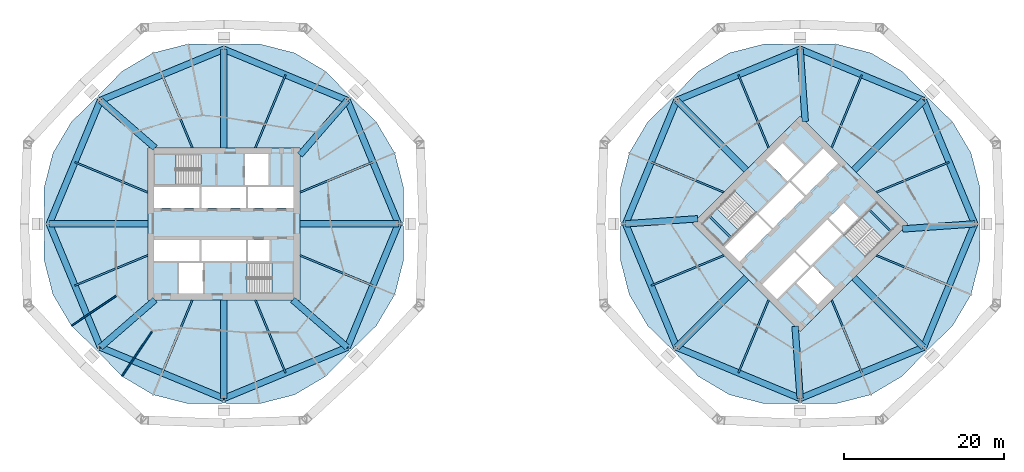
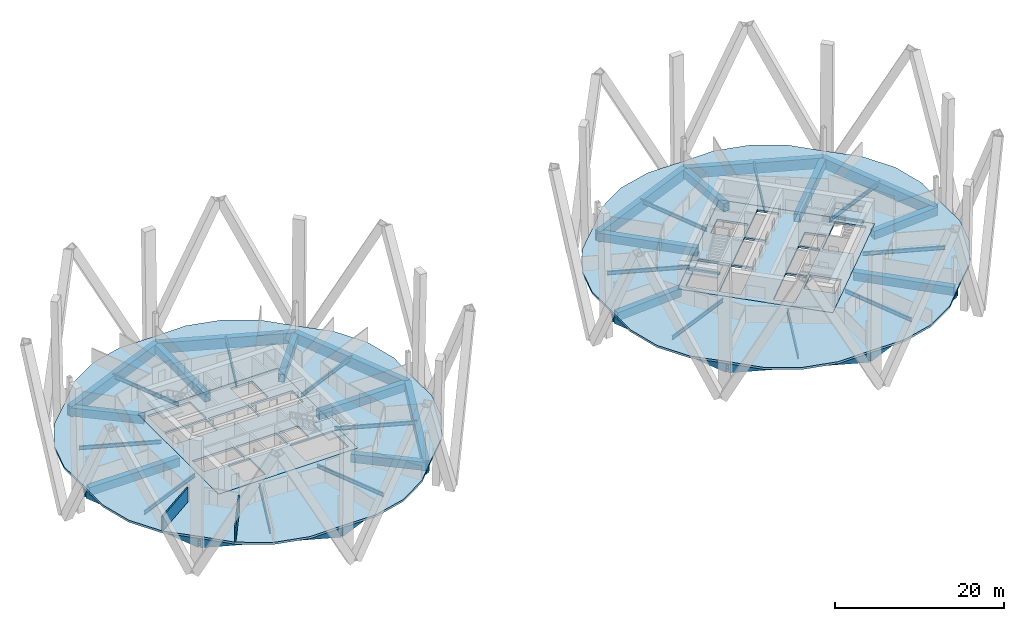
# One storey, part 3 of 10: 50 beams, 8 slabs, 2 walls, 4 elements without a shape of their own.
"""IFC4 building model written with IfcOpenShell, lengths in metres."""

from ifc_helpers import new_model, si_unit, direction, frame, frame_2d, origin, origin_2d, place, context, subcontext, project, spatial, polyline, rectangle, hollow_rectangle, i_section, outline, extrude, material, layer, layer_set, material_profile, profile_set, type_object, element, aggregate, save


model = new_model("IFC4")

# Units and contexts
model_context = context("Model", 3, precision=1e-05, world=origin(), true_north=direction((0.0, 1.0)))
body_context = subcontext(model_context, "Body", "Model", "MODEL_VIEW")
ifc_project = project(units=[si_unit("LENGTHUNIT", "METRE"), si_unit("AREAUNIT", "SQUARE_METRE"), si_unit("VOLUMEUNIT", "CUBIC_METRE"), si_unit("PLANEANGLEUNIT", "RADIAN"), si_unit("MASSUNIT", "GRAM", prefix="KILO")], contexts=[model_context])

# Site, building, storey
site_placement = place(None, origin())
site = spatial("IfcSite", under=ifc_project, at=site_placement, CompositionType="ELEMENT")
building_placement = place(site_placement, origin())
building = spatial("IfcBuilding", under=site, at=building_placement, Name="Ogive Gate Towers", CompositionType="ELEMENT")
storey_placement = place(building_placement, frame((0.0, 0.0, 36.300048828125)))
storey = spatial("IfcBuildingStorey", under=building, at=storey_placement, Name="L07", CompositionType="ELEMENT", Elevation=36.300048828125)

# Beams
ifc_material_1 = material(Name="Steel SM460", Category="steel")
ifc_material_profile_1 = material_profile(ifc_material_1, hollow_rectangle(XDim=0.800048828125, YDim=1.5, WallThickness=0.06005859375, at=origin_2d()), Name="BX 1500x800x60")
ifc_profile_set_1 = profile_set([ifc_material_profile_1], Name="Steel SM460")
beam_type_1 = type_object("IfcBeamType", Name="Edge girder BX 1500x800x60", PredefinedType="BEAM", material=ifc_profile_set_1)
for number, where, z_axis, x_axis, name in (
    (1, (-51.422119140625, -15.422119140625, -1.050048828125), (0.923881893128, -0.382677733282, 0.0), (0.382677733282, 0.923881893128, 0.0), "T1/L07/SBM017"),
    (2, (-36.0, -21.81005859375, -1.050048828125), (0.923881893128, 0.382677733282, 0.0), (-0.382677733282, 0.923881893128, 0.0), "T1/L07/SBM018"),
    (3, (-20.577880859375, -15.422119140625, -1.050048828125), (0.382677733282, 0.923881893128, 0.0), (-0.923881893128, 0.382677733282, 0.0), "T1/L07/SBM019"),
    (4, (-14.18994140625, 0.0, -1.050048828125), (-0.382677733282, 0.923881893128, 0.0), (-0.923881893128, -0.382677733282, 0.0), "T1/L07/SBM020"),
    (5, (-20.577880859375, 15.422119140625, -1.050048828125), (-0.923881893128, 0.382677733282, 0.0), (-0.382677733282, -0.923881893128, 0.0), "T1/L07/SBM021"),
    (6, (-36.0, 21.81005859375, -1.050048828125), (-0.923881893128, -0.382677733282, 0.0), (0.382677733282, -0.923881893128, 0.0), "T1/L07/SBM022"),
    (7, (-51.422119140625, 15.422119140625, -1.050048828125), (-0.382677733282, -0.923881893128, 0.0), (0.923881893128, -0.382677733282, 0.0), "T1/L07/SBM023"),
    (8, (-57.81005859375, 0.0, -1.050048828125), (0.382677733282, -0.923881893128, 0.0), (0.923881893128, 0.382677733282, 0.0), "T1/L07/SBM024"),
    (9, (20.577880859375, -15.422119140625, -1.050048828125), (0.923881893128, -0.382677733282, 0.0), (0.382677733282, 0.923881893128, 0.0), "T2/L07/SBM017"),
    (10, (36.0, -21.81005859375, -1.050048828125), (0.923881893128, 0.382677733282, 0.0), (-0.382677733282, 0.923881893128, 0.0), "T2/L07/SBM018"),
    (11, (51.422119140625, -15.422119140625, -1.050048828125), (0.382677733282, 0.923881893128, 0.0), (-0.923881893128, 0.382677733282, 0.0), "T2/L07/SBM019"),
    (12, (57.81005859375, 0.0, -1.050048828125), (-0.382677733282, 0.923881893128, 0.0), (-0.923881893128, -0.382677733282, 0.0), "T2/L07/SBM020"),
    (13, (51.422119140625, 15.422119140625, -1.050048828125), (-0.923881893128, 0.382677733282, 0.0), (-0.382677733282, -0.923881893128, 0.0), "T2/L07/SBM021"),
    (14, (36.0, 21.81005859375, -1.050048828125), (-0.923881893128, -0.382677733282, 0.0), (0.382677733282, -0.923881893128, 0.0), "T2/L07/SBM022"),
    (15, (20.577880859375, 15.422119140625, -1.050048828125), (-0.382677733282, -0.923881893128, 0.0), (0.923881893128, -0.382677733282, 0.0), "T2/L07/SBM023"),
    (16, (14.18994140625, 0.0, -1.050048828125), (0.382677733282, -0.923881893128, 0.0), (0.923881893128, 0.382677733282, 0.0), "T2/L07/SBM024"),
):
    element("IfcBeam", number, at=place(storey_placement, frame(where, z_axis=z_axis, x_axis=x_axis)), inside=storey, type_object=beam_type_1, Name=name, PredefinedType="BEAM", context=body_context, shape_type="SweptSolid", body=[
        extrude(hollow_rectangle(XDim=0.800048828125, YDim=1.5, WallThickness=0.06005859375, at=origin_2d()), origin(), (0.0, 0.0, 1.0), 16.692626953125),
    ])
ifc_material_2 = material(Name="Concrete C40/50", Category="concrete")
ifc_material_profile_2 = material_profile(ifc_material_2, rectangle(XDim=0.25, YDim=0.300048828125, at=origin_2d()), Name="RC 250x300")
ifc_profile_set_2 = profile_set([ifc_material_profile_2], Name="Concrete C40/50")
beam_type_2 = type_object("IfcBeamType", Name="Landing bearer RC 250x300", PredefinedType="BEAM", material=ifc_profile_set_2)
for number, where, z_axis, x_axis, name in (
    (17, (24.650390625, 0.9541015625, 1.599853515625), (0.707106781187, -0.707106781187, 0.0), (0.707106781187, 0.707106781187, 0.0), "T2 L07 stair 1 landing bearer 1"),
    (18, (47.349609375, -0.9541015625, 1.599853515625), (-0.707106781187, 0.707106781187, 0.0), (-0.707106781187, -0.707106781187, 0.0), "T2 L07 stair 2 landing bearer 1"),
):
    element("IfcBeam", number, at=place(storey_placement, frame(where, z_axis=z_axis, x_axis=x_axis)), inside=storey, type_object=beam_type_2, Name=name, PredefinedType="BEAM", context=body_context, shape_type="SweptSolid", body=[
        extrude(rectangle(XDim=0.25, YDim=0.300048828125, at=origin_2d()), origin(), (0.0, 0.0, 1.0), 3.824951171875),
    ])
ifc_material_3 = material(Name="Steel SM355", Category="steel")
ifc_material_profile_3 = material_profile(ifc_material_3, i_section(OverallWidth=0.2099609375, OverallDepth=0.550048828125, WebThickness=0.010986328125, FlangeThickness=0.01708984375, FilletRadius=0.02392578125, at=origin_2d()), Name="IPE 550")
ifc_profile_set_3 = profile_set([ifc_material_profile_3], Name="Steel SM355")
beam_type_3 = type_object("IfcBeamType", Name="Radial floor beam IPE 550", PredefinedType="BEAM", material=ifc_profile_set_3)
for number, where, z_axis, x_axis, name in (
    (19, (-39.93505859375, -9.5, -0.574951171875), (-0.38267666976, -0.923882333645, 0.0), (0.923882333645, -0.38267666976, 0.0), "T1/L07/SBM002"),
    (20, (-32.06494140625, -9.5, -0.574951171875), (0.38267666976, -0.923882333645, 0.0), (0.923882333645, 0.38267666976, 0.0), "T1/L07/SBM004"),
    (21, (-26.5, -3.93505859375, -0.574951171875), (0.923882333645, -0.38267666976, 0.0), (0.38267666976, 0.923882333645, 0.0), "T1/L07/SBM006"),
    (22, (-26.5, 3.93505859375, -0.574951171875), (0.923882333645, 0.38267666976, 0.0), (-0.38267666976, 0.923882333645, 0.0), "T1/L07/SBM008"),
    (23, (-32.06494140625, 9.5, -0.574951171875), (0.38267666976, 0.923882333645, 0.0), (-0.923882333645, 0.38267666976, 0.0), "T1/L07/SBM010"),
    (24, (-39.93505859375, 9.5, -0.574951171875), (-0.38267666976, 0.923882333645, 0.0), (-0.923882333645, -0.38267666976, 0.0), "T1/L07/SBM012"),
    (25, (-45.5, 3.93505859375, -0.574951171875), (-0.923882333645, 0.38267666976, 0.0), (-0.38267666976, -0.923882333645, 0.0), "T1/L07/SBM014"),
    (26, (-45.5, -3.93505859375, -0.574951171875), (-0.923882333645, -0.38267666976, 0.0), (0.38267666976, -0.923882333645, 0.0), "T1/L07/SBM016"),
    (27, (32.06494140625, -9.5, -0.574951171875), (-0.38267666976, -0.923882333645, 0.0), (0.923882333645, -0.38267666976, 0.0), "T2/L07/SBM002"),
    (28, (39.93505859375, -9.5, -0.574951171875), (0.38267666976, -0.923882333645, 0.0), (0.923882333645, 0.38267666976, 0.0), "T2/L07/SBM004"),
    (29, (45.5, -3.93505859375, -0.574951171875), (0.923882333645, -0.38267666976, 0.0), (0.38267666976, 0.923882333645, 0.0), "T2/L07/SBM006"),
    (30, (45.5, 3.93505859375, -0.574951171875), (0.923882333645, 0.38267666976, 0.0), (-0.38267666976, 0.923882333645, 0.0), "T2/L07/SBM008"),
    (31, (39.93505859375, 9.5, -0.574951171875), (0.38267666976, 0.923882333645, 0.0), (-0.923882333645, 0.38267666976, 0.0), "T2/L07/SBM010"),
    (32, (32.06494140625, 9.5, -0.574951171875), (-0.38267666976, 0.923882333645, 0.0), (-0.923882333645, -0.38267666976, 0.0), "T2/L07/SBM012"),
    (33, (26.5, 3.93505859375, -0.574951171875), (-0.923882333645, 0.38267666976, 0.0), (-0.38267666976, -0.923882333645, 0.0), "T2/L07/SBM014"),
    (34, (26.5, -3.93505859375, -0.574951171875), (-0.923882333645, -0.38267666976, 0.0), (0.38267666976, -0.923882333645, 0.0), "T2/L07/SBM016"),
):
    element("IfcBeam", number, at=place(storey_placement, frame(where, z_axis=z_axis, x_axis=x_axis)), inside=storey, type_object=beam_type_3, Name=name, PredefinedType="BEAM", context=body_context, shape_type="SweptSolid", body=[
        extrude(i_section(OverallWidth=0.2099609375, OverallDepth=0.550048828125, WebThickness=0.010986328125, FlangeThickness=0.01708984375, FilletRadius=0.02392578125, at=origin_2d()), origin(), (0.0, 0.0, 1.0), 9.866943359375),
    ])
ifc_material_profile_4 = material_profile(ifc_material_1, hollow_rectangle(XDim=0.800048828125, YDim=1.199951171875, WallThickness=0.050048828125, at=origin_2d()), Name="BX 1200x800x50")
ifc_profile_set_4 = profile_set([ifc_material_profile_4], Name="Steel SM460")
beam_type_4 = type_object("IfcBeamType", Name="Transfer radial beam BX 1200x800x50", PredefinedType="BEAM", material=ifc_profile_set_4)
beam_1_placement = place(storey_placement, frame((-44.60009765625, -9.5, -0.900146484375), z_axis=(-0.755157389596, -0.655543527875, 0.0), x_axis=(0.655543527875, -0.755157389596, 0.0)))
element("IfcBeam", 35, at=beam_1_placement, inside=storey, type_object=beam_type_4, Name="T1/L07/SBM001", PredefinedType="BEAM", context=body_context, shape_type="SweptSolid", body=[
    extrude(hollow_rectangle(XDim=0.800048828125, YDim=1.199951171875, WallThickness=0.050048828125, at=origin_2d()), origin(), (0.0, 0.0, 1.0), 9.033935546875),
])
beam_2_placement = place(storey_placement, frame((-36.0, -9.5, -0.900146484375), z_axis=(0.0, -1.0, 0.0), x_axis=(1.0, 0.0, 0.0)))
element("IfcBeam", 36, at=beam_2_placement, inside=storey, type_object=beam_type_4, Name="T1/L07/SBM003", PredefinedType="BEAM", context=body_context, shape_type="SweptSolid", body=[
    extrude(hollow_rectangle(XDim=0.800048828125, YDim=1.199951171875, WallThickness=0.050048828125, at=origin_2d()), origin(), (0.0, 0.0, 1.0), 12.31005859375),
])
beam_3_placement = place(storey_placement, frame((-27.39990234375, -9.5, -0.900146484375), z_axis=(0.755157389596, -0.655543527875, 0.0), x_axis=(0.655543527875, 0.755157389596, 0.0)))
element("IfcBeam", 37, at=beam_3_placement, inside=storey, type_object=beam_type_4, Name="T1/L07/SBM005", PredefinedType="BEAM", context=body_context, shape_type="SweptSolid", body=[
    extrude(hollow_rectangle(XDim=0.800048828125, YDim=1.199951171875, WallThickness=0.050048828125, at=origin_2d()), origin(), (0.0, 0.0, 1.0), 9.033935546875),
])
beam_4_placement = place(storey_placement, frame((-26.5, 0.0, -0.900146484375), z_axis=(1.0, 0.0, 0.0), x_axis=(0.0, 1.0, 0.0)))
element("IfcBeam", 38, at=beam_4_placement, inside=storey, type_object=beam_type_4, Name="T1/L07/SBM007", PredefinedType="BEAM", context=body_context, shape_type="SweptSolid", body=[
    extrude(hollow_rectangle(XDim=0.800048828125, YDim=1.199951171875, WallThickness=0.050048828125, at=origin_2d()), origin(), (0.0, 0.0, 1.0), 12.31005859375),
])
beam_5_placement = place(storey_placement, frame((-26.5, 8.60009765625, -0.900146484375), z_axis=(0.655543527875, 0.755157389596, 0.0), x_axis=(-0.755157389596, 0.655543527875, 0.0)))
element("IfcBeam", 39, at=beam_5_placement, inside=storey, type_object=beam_type_4, Name="T1/L07/SBM009", PredefinedType="BEAM", context=body_context, shape_type="SweptSolid", body=[
    extrude(hollow_rectangle(XDim=0.800048828125, YDim=1.199951171875, WallThickness=0.050048828125, at=origin_2d()), origin(), (0.0, 0.0, 1.0), 9.033935546875),
])
beam_6_placement = place(storey_placement, frame((-36.0, 9.5, -0.900146484375), z_axis=(0.0, 1.0, 0.0), x_axis=(-1.0, 0.0, 0.0)))
element("IfcBeam", 40, at=beam_6_placement, inside=storey, type_object=beam_type_4, Name="T1/L07/SBM011", PredefinedType="BEAM", context=body_context, shape_type="SweptSolid", body=[
    extrude(hollow_rectangle(XDim=0.800048828125, YDim=1.199951171875, WallThickness=0.050048828125, at=origin_2d()), origin(), (0.0, 0.0, 1.0), 12.31005859375),
])
beam_7_placement = place(storey_placement, frame((-44.60009765625, 9.5, -0.900146484375), z_axis=(-0.755157389596, 0.655543527875, 0.0), x_axis=(-0.655543527875, -0.755157389596, 0.0)))
element("IfcBeam", 41, at=beam_7_placement, inside=storey, type_object=beam_type_4, Name="T1/L07/SBM013", PredefinedType="BEAM", context=body_context, shape_type="SweptSolid", body=[
    extrude(hollow_rectangle(XDim=0.800048828125, YDim=1.199951171875, WallThickness=0.050048828125, at=origin_2d()), origin(), (0.0, 0.0, 1.0), 9.033935546875),
])
for number, where, z_axis, x_axis, name in (
    (42, (-45.5, 0.0, -0.900146484375), (-1.0, 0.0, 0.0), (0.0, -1.0, 0.0), "T1/L07/SBM015"),
    (43, (29.282470703125, -6.717529296875, -0.900146484375), (-0.707106781187, -0.707106781187, 0.0), (0.707106781187, -0.707106781187, 0.0), "T2/L07/SBM001"),
):
    element("IfcBeam", number, at=place(storey_placement, frame(where, z_axis=z_axis, x_axis=x_axis)), inside=storey, type_object=beam_type_4, Name=name, PredefinedType="BEAM", context=body_context, shape_type="SweptSolid", body=[
        extrude(hollow_rectangle(XDim=0.800048828125, YDim=1.199951171875, WallThickness=0.050048828125, at=origin_2d()), origin(), (0.0, 0.0, 1.0), 12.31005859375),
    ])
beam_8_placement = place(storey_placement, frame((35.363525390625, -12.798583984375, -0.900146484375), z_axis=(0.070453840617, -0.99751504066, 0.0), x_axis=(0.99751504066, 0.070453840617, 0.0)))
element("IfcBeam", 44, at=beam_8_placement, inside=storey, type_object=beam_type_4, Name="T2/L07/SBM003", PredefinedType="BEAM", context=body_context, shape_type="SweptSolid", body=[
    extrude(hollow_rectangle(XDim=0.800048828125, YDim=1.199951171875, WallThickness=0.050048828125, at=origin_2d()), origin(), (0.0, 0.0, 1.0), 9.033935546875),
])
beam_9_placement = place(storey_placement, frame((42.717529296875, -6.717529296875, -0.900146484375), z_axis=(0.707106781187, -0.707106781187, 0.0), x_axis=(0.707106781187, 0.707106781187, 0.0)))
element("IfcBeam", 45, at=beam_9_placement, inside=storey, type_object=beam_type_4, Name="T2/L07/SBM005", PredefinedType="BEAM", context=body_context, shape_type="SweptSolid", body=[
    extrude(hollow_rectangle(XDim=0.800048828125, YDim=1.199951171875, WallThickness=0.050048828125, at=origin_2d()), origin(), (0.0, 0.0, 1.0), 12.31005859375),
])
beam_10_placement = place(storey_placement, frame((48.798583984375, -0.636474609375, -0.900146484375), z_axis=(0.99751504066, 0.070453840617, 0.0), x_axis=(-0.070453840617, 0.99751504066, 0.0)))
element("IfcBeam", 46, at=beam_10_placement, inside=storey, type_object=beam_type_4, Name="T2/L07/SBM007", PredefinedType="BEAM", context=body_context, shape_type="SweptSolid", body=[
    extrude(hollow_rectangle(XDim=0.800048828125, YDim=1.199951171875, WallThickness=0.050048828125, at=origin_2d()), origin(), (0.0, 0.0, 1.0), 9.033935546875),
])
beam_11_placement = place(storey_placement, frame((42.717529296875, 6.717529296875, -0.900146484375), z_axis=(0.707106781187, 0.707106781187, 0.0), x_axis=(-0.707106781187, 0.707106781187, 0.0)))
element("IfcBeam", 47, at=beam_11_placement, inside=storey, type_object=beam_type_4, Name="T2/L07/SBM009", PredefinedType="BEAM", context=body_context, shape_type="SweptSolid", body=[
    extrude(hollow_rectangle(XDim=0.800048828125, YDim=1.199951171875, WallThickness=0.050048828125, at=origin_2d()), origin(), (0.0, 0.0, 1.0), 12.31005859375),
])
beam_12_placement = place(storey_placement, frame((36.636474609375, 12.798583984375, -0.900146484375), z_axis=(-0.070453840617, 0.99751504066, 0.0), x_axis=(-0.99751504066, -0.070453840617, 0.0)))
element("IfcBeam", 48, at=beam_12_placement, inside=storey, type_object=beam_type_4, Name="T2/L07/SBM011", PredefinedType="BEAM", context=body_context, shape_type="SweptSolid", body=[
    extrude(hollow_rectangle(XDim=0.800048828125, YDim=1.199951171875, WallThickness=0.050048828125, at=origin_2d()), origin(), (0.0, 0.0, 1.0), 9.033935546875),
])
beam_13_placement = place(storey_placement, frame((29.282470703125, 6.717529296875, -0.900146484375), z_axis=(-0.707106781187, 0.707106781187, 0.0), x_axis=(-0.707106781187, -0.707106781187, 0.0)))
element("IfcBeam", 49, at=beam_13_placement, inside=storey, type_object=beam_type_4, Name="T2/L07/SBM013", PredefinedType="BEAM", context=body_context, shape_type="SweptSolid", body=[
    extrude(hollow_rectangle(XDim=0.800048828125, YDim=1.199951171875, WallThickness=0.050048828125, at=origin_2d()), origin(), (0.0, 0.0, 1.0), 12.31005859375),
])
beam_14_placement = place(storey_placement, frame((23.201416015625, 0.636474609375, -0.900146484375), z_axis=(-0.99751504066, -0.070453840617, 0.0), x_axis=(0.070453840617, -0.99751504066, 0.0)))
element("IfcBeam", 50, at=beam_14_placement, inside=storey, type_object=beam_type_4, Name="T2/L07/SBM015", PredefinedType="BEAM", context=body_context, shape_type="SweptSolid", body=[
    extrude(hollow_rectangle(XDim=0.800048828125, YDim=1.199951171875, WallThickness=0.050048828125, at=origin_2d()), origin(), (0.0, 0.0, 1.0), 9.033935546875),
])

# Slabs
ifc_layer_1 = layer(ifc_material_2, 0.300048828125)
ifc_layer_set_1 = layer_set([ifc_layer_1], Name="Core slab C40/50 300 mm")
slab_type_1 = type_object("IfcSlabType", Name="Core slab C40/50 300 mm", PredefinedType="FLOOR", material=ifc_layer_set_1)
slab_1_placement = place(storey_placement, frame((0.0, 0.0, -0.300048828125)))
element("IfcSlab", 51, at=slab_1_placement, inside=storey, type_object=slab_type_1, Name="T1 L07 core slab", PredefinedType="FLOOR", context=body_context, shape_type="SweptSolid", body=[
    extrude(outline(polyline([(-26.5, 9.5), (-26.5, -9.5), (-45.5, -9.5), (-45.5, 9.5), (-26.5, 9.5)]), holes=[polyline([(-39.02490234375, 4.625), (-44.699951171875, 4.625), (-44.699951171875, 2.0), (-39.02490234375, 2.0), (-39.02490234375, 4.625)]), polyline([(-33.22509765625, 2.0), (-33.22509765625, 4.625), (-38.77490234375, 4.625), (-38.77490234375, 2.0), (-33.22509765625, 2.0)]), polyline([(-32.97509765625, 2.0), (-27.300048828125, 2.0), (-27.300048828125, 4.625), (-32.97509765625, 4.625), (-32.97509765625, 2.0)]), polyline([(-44.699951171875, -2.0), (-44.699951171875, -4.625), (-39.02490234375, -4.625), (-39.02490234375, -2.0), (-44.699951171875, -2.0)]), polyline([(-33.22509765625, -2.0), (-38.77490234375, -2.0), (-38.77490234375, -4.625), (-33.22509765625, -4.625), (-33.22509765625, -2.0)]), polyline([(-30.324951171875, -4.625), (-30.324951171875, -2.0), (-32.97509765625, -2.0), (-32.97509765625, -4.625), (-30.324951171875, -4.625)]), polyline([(-33.375, 4.875), (-30.425048828125, 4.875), (-30.425048828125, 8.699951171875), (-33.375, 8.699951171875), (-33.375, 4.875)]), polyline([(-41.574951171875, -4.875), (-41.574951171875, -8.699951171875), (-38.625, -8.699951171875), (-38.625, -4.875), (-41.574951171875, -4.875)]), polyline([(-44.699951171875, 4.875), (-38.885009765625, 4.875), (-38.885009765625, 8.699951171875), (-44.699951171875, 8.699951171875), (-44.699951171875, 4.875)]), polyline([(-27.300048828125, -8.699951171875), (-27.300048828125, -4.875), (-33.114990234375, -4.875), (-33.114990234375, -8.699951171875), (-27.300048828125, -8.699951171875)])]), origin(), (0.0, 0.0, 1.0), 0.300048828125),
])
slab_2_placement = place(storey_placement, frame((0.0, 0.0, -0.300048828125)))
element("IfcSlab", 52, at=slab_2_placement, inside=storey, type_object=slab_type_1, Name="T2 L07 core slab", PredefinedType="FLOOR", context=body_context, shape_type="SweptSolid", body=[
    extrude(outline(polyline([(36.0, 13.43505859375), (49.43505859375, 0.0), (36.0, -13.43505859375), (22.56494140625, 0.0), (36.0, 13.43505859375)]), holes=[polyline([(30.590576171875, 1.13134765625), (26.577880859375, -2.881591796875), (28.43408203125, -4.737548828125), (32.44677734375, -0.724853515625), (30.590576171875, 1.13134765625)]), polyline([(36.548095703125, 3.37646484375), (34.69189453125, 5.232666015625), (30.767333984375, 1.30810546875), (32.62353515625, -0.548095703125), (36.548095703125, 3.37646484375)]), polyline([(36.724853515625, 3.55322265625), (40.737548828125, 7.56591796875), (38.881591796875, 9.422119140625), (34.86865234375, 5.409423828125), (36.724853515625, 3.55322265625)]), polyline([(31.262451171875, -7.56591796875), (33.118408203125, -9.422119140625), (37.13134765625, -5.409423828125), (35.275146484375, -3.55322265625), (31.262451171875, -7.56591796875)]), polyline([(39.37646484375, 0.548095703125), (35.451904296875, -3.37646484375), (37.30810546875, -5.232666015625), (41.232666015625, -1.30810546875), (39.37646484375, 0.548095703125)]), polyline([(43.283203125, 0.742431640625), (41.427001953125, 2.5986328125), (39.55322265625, 0.724853515625), (41.409423828125, -1.13134765625), (43.283203125, 0.742431640625)]), polyline([(34.408935546875, 5.30322265625), (36.4951171875, 7.389404296875), (33.790283203125, 10.093994140625), (31.704345703125, 8.008056640625), (34.408935546875, 5.30322265625)]), polyline([(35.5048828125, -7.389404296875), (38.209716796875, -10.093994140625), (40.295654296875, -8.008056640625), (37.591064453125, -5.30322265625), (35.5048828125, -7.389404296875)]), polyline([(26.40087890625, -2.70458984375), (30.512939453125, 1.406982421875), (27.80810546875, 4.11181640625), (23.6962890625, 0.0), (26.40087890625, -2.70458984375)]), polyline([(48.3037109375, 0.0), (45.59912109375, 2.70458984375), (41.487060546875, -1.406982421875), (44.19189453125, -4.11181640625), (48.3037109375, 0.0)])]), origin(), (0.0, 0.0, 1.0), 0.300048828125),
])
ifc_material_4 = material(Name="Concrete C35/45", Category="concrete")
ifc_layer_2 = layer(ifc_material_4, 0.300048828125)
ifc_layer_set_2 = layer_set([ifc_layer_2], Name="Floor slab 300")
slab_type_2 = type_object("IfcSlabType", Name="Floor slab 300", PredefinedType="FLOOR", material=ifc_layer_set_2)
slab_3_placement = place(storey_placement, frame((0.0, 0.0, -0.300048828125)))
element("IfcSlab", 53, at=slab_3_placement, inside=storey, type_object=slab_type_2, Name="T1/L07/SSL001", PredefinedType="FLOOR", context=body_context, shape_type="SweptSolid", body=[
    extrude(outline(polyline([(-13.5302734375, -4.469482421875), (-13.590087890625, 0.0), (-13.5302734375, 4.469482421875), (-14.649169921875, 8.84375), (-16.950927734375, 12.72802734375), (-20.15380859375, 15.84619140625), (-23.27197265625, 19.049072265625), (-27.15625, 21.350830078125), (-31.530517578125, 22.4697265625), (-36.0, 22.409912109375), (-40.469482421875, 22.4697265625), (-44.84375, 21.350830078125), (-48.72802734375, 19.049072265625), (-51.84619140625, 15.84619140625), (-55.049072265625, 12.72802734375), (-57.350830078125, 8.84375), (-58.4697265625, 4.469482421875), (-58.409912109375, 0.0), (-58.4697265625, -4.469482421875), (-57.350830078125, -8.84375), (-55.049072265625, -12.72802734375), (-51.84619140625, -15.84619140625), (-48.72802734375, -19.049072265625), (-44.84375, -21.350830078125), (-40.469482421875, -22.4697265625), (-36.0, -22.409912109375), (-31.530517578125, -22.4697265625), (-27.15625, -21.350830078125), (-23.27197265625, -19.049072265625), (-20.15380859375, -15.84619140625), (-16.950927734375, -12.72802734375), (-14.649169921875, -8.84375), (-13.5302734375, -4.469482421875)]), holes=[polyline([(-26.5, -9.5), (-45.5, -9.5), (-45.5, 9.5), (-26.5, 9.5), (-26.5, -9.5)])]), origin(), (0.0, 0.0, 1.0), 0.300048828125),
])
slab_4_placement = place(storey_placement, frame((0.0, 0.0, -0.300048828125)))
element("IfcSlab", 54, at=slab_4_placement, inside=storey, type_object=slab_type_2, Name="T2/L07/SSL001", PredefinedType="FLOOR", context=body_context, shape_type="SweptSolid", body=[
    extrude(outline(polyline([(58.4697265625, -4.469482421875), (58.409912109375, 0.0), (58.4697265625, 4.469482421875), (57.350830078125, 8.84375), (55.049072265625, 12.72802734375), (51.84619140625, 15.84619140625), (48.72802734375, 19.049072265625), (44.84375, 21.350830078125), (40.469482421875, 22.4697265625), (36.0, 22.409912109375), (31.530517578125, 22.4697265625), (27.15625, 21.350830078125), (23.27197265625, 19.049072265625), (20.15380859375, 15.84619140625), (16.950927734375, 12.72802734375), (14.649169921875, 8.84375), (13.5302734375, 4.469482421875), (13.590087890625, 0.0), (13.5302734375, -4.469482421875), (14.649169921875, -8.84375), (16.950927734375, -12.72802734375), (20.15380859375, -15.84619140625), (23.27197265625, -19.049072265625), (27.15625, -21.350830078125), (31.530517578125, -22.4697265625), (36.0, -22.409912109375), (40.469482421875, -22.4697265625), (44.84375, -21.350830078125), (48.72802734375, -19.049072265625), (51.84619140625, -15.84619140625), (55.049072265625, -12.72802734375), (57.350830078125, -8.84375), (58.4697265625, -4.469482421875)]), holes=[polyline([(49.43505859375, 0.0), (36.0, -13.43505859375), (22.56494140625, 0.0), (36.0, 13.43505859375), (49.43505859375, 0.0)])]), origin(), (0.0, 0.0, 1.0), 0.300048828125),
])

# Stair, slab
stair_type = type_object("IfcStairType", Name="Escape stair 1840 wide", PredefinedType="HALF_TURN_STAIR", material=ifc_material_2)
stair_1_placement = place(storey_placement, origin())
stair_1 = element("IfcStair", 55, at=stair_1_placement, inside=storey, type_object=stair_type, Name="L07 Escape stair 1", PredefinedType="HALF_TURN_STAIR")
ifc_layer_3 = layer(ifc_material_2, 0.199951171875)
ifc_layer_set_3 = layer_set([ifc_layer_3], Name="Stair landing 200 mm")
slab_type_3 = type_object("IfcSlabType", Name="Stair landing 200 mm", PredefinedType="LANDING", material=ifc_layer_set_3)
slab_5_placement = place(storey_placement, frame((0.0, 0.0, 1.75)))
slab_5 = element("IfcSlab", 56, at=slab_5_placement, type_object=slab_type_3, Name="ST1 landing 1", PredefinedType="LANDING", context=body_context, shape_type="SweptSolid", body=[
    extrude(outline(polyline([(-42.00146484375, 8.699951171875), (-44.699951171875, 8.699951171875), (-44.699951171875, 4.875), (-42.00146484375, 4.875), (-42.00146484375, 8.699951171875)])), origin(), (0.0, 0.0, 1.0), 0.199951171875),
])
aggregate(stair_1, [slab_5])

stair_2_placement = place(storey_placement, origin())
stair_2 = element("IfcStair", 57, at=stair_2_placement, inside=storey, type_object=stair_type, Name="L07 Escape stair 2", PredefinedType="HALF_TURN_STAIR")
slab_6_placement = place(storey_placement, frame((0.0, 0.0, 1.75)))
slab_6 = element("IfcSlab", 58, at=slab_6_placement, type_object=slab_type_3, Name="ST2 landing 1", PredefinedType="LANDING", context=body_context, shape_type="SweptSolid", body=[
    extrude(outline(polyline([(-29.99853515625, -8.699951171875), (-27.300048828125, -8.699951171875), (-27.300048828125, -4.875), (-29.99853515625, -4.875), (-29.99853515625, -8.699951171875)])), origin(), (0.0, 0.0, 1.0), 0.199951171875),
])
aggregate(stair_2, [slab_6])

stair_3_placement = place(storey_placement, origin())
stair_3 = element("IfcStair", 59, at=stair_3_placement, inside=storey, type_object=stair_type, Name="L07 Escape stair 1", PredefinedType="HALF_TURN_STAIR")
slab_7_placement = place(storey_placement, frame((0.0, 0.0, 1.75)))
slab_7 = element("IfcSlab", 60, at=slab_7_placement, type_object=slab_type_3, Name="ST1 landing 1", PredefinedType="LANDING", context=body_context, shape_type="SweptSolid", body=[
    extrude(outline(polyline([(25.6044921875, 1.908203125), (23.6962890625, 0.0), (26.401123046875, -2.70458984375), (28.309326171875, -0.79638671875), (25.6044921875, 1.908203125)])), origin(), (0.0, 0.0, 1.0), 0.199951171875),
])
aggregate(stair_3, [slab_7])

stair_4_placement = place(storey_placement, origin())
stair_4 = element("IfcStair", 61, at=stair_4_placement, inside=storey, type_object=stair_type, Name="L07 Escape stair 2", PredefinedType="HALF_TURN_STAIR")
slab_8_placement = place(storey_placement, frame((0.0, 0.0, 1.75)))
slab_8 = element("IfcSlab", 62, at=slab_8_placement, type_object=slab_type_3, Name="ST2 landing 1", PredefinedType="LANDING", context=body_context, shape_type="SweptSolid", body=[
    extrude(outline(polyline([(46.3955078125, -1.908203125), (48.3037109375, 0.0), (45.598876953125, 2.70458984375), (43.690673828125, 0.79638671875), (46.3955078125, -1.908203125)])), origin(), (0.0, 0.0, 1.0), 0.199951171875),
])
aggregate(stair_4, [slab_8])

# Walls
ifc_material_5 = material(Name="Gypsum board acoustic partition")
ifc_layer_4 = layer(ifc_material_5, 0.175048828125)
ifc_layer_set_4 = layer_set([ifc_layer_4], Name="Acoustic partition 175")
wall_type = type_object("IfcWallType", Name="Acoustic partition 175", PredefinedType="PARTITIONING", material=ifc_layer_set_4)
for number, where, z_axis, x_axis, name in (
    (63, (-55.044189453125, -12.734375, 0.0), (0.0, 0.0, 1.0), (0.831275043359, 0.555861315697, 0.0), "Partition T1-L07-011"),
    (64, (-48.734375, -19.044189453125, 0.0), (0.0, 0.0, 1.0), (0.555861315697, 0.831275043359, 0.0), "Partition T1-L07-012"),
):
    element("IfcWall", number, at=place(storey_placement, frame(where, z_axis=z_axis, x_axis=x_axis)), inside=storey, type_object=wall_type, Name=name, PredefinedType="PARTITIONING", context=body_context, shape_type="SweptSolid", body=[
        extrude(rectangle(XDim=6.741455078125, YDim=0.175048828125, at=frame_2d((3.37060546875, 0.0))), origin(), (0.0, 0.0, 1.0), 2.099853515625),
    ])

save(model, "model.ifc")
